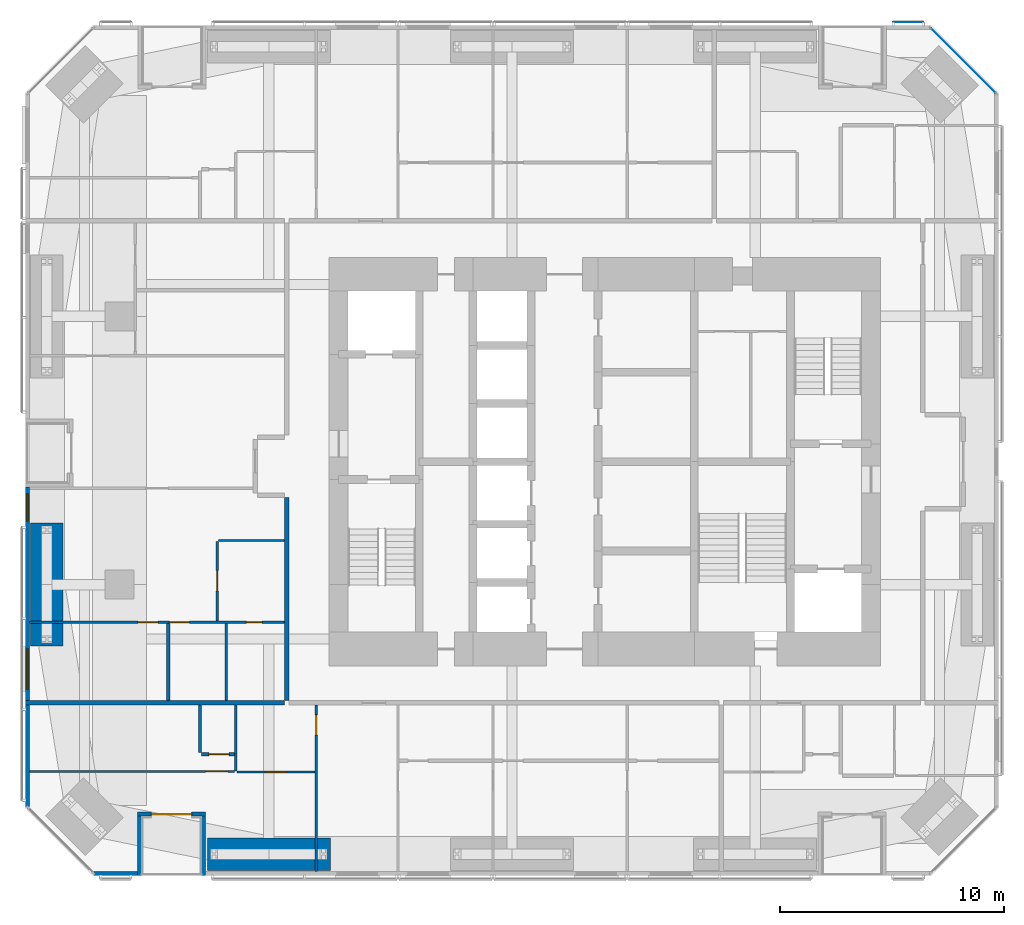
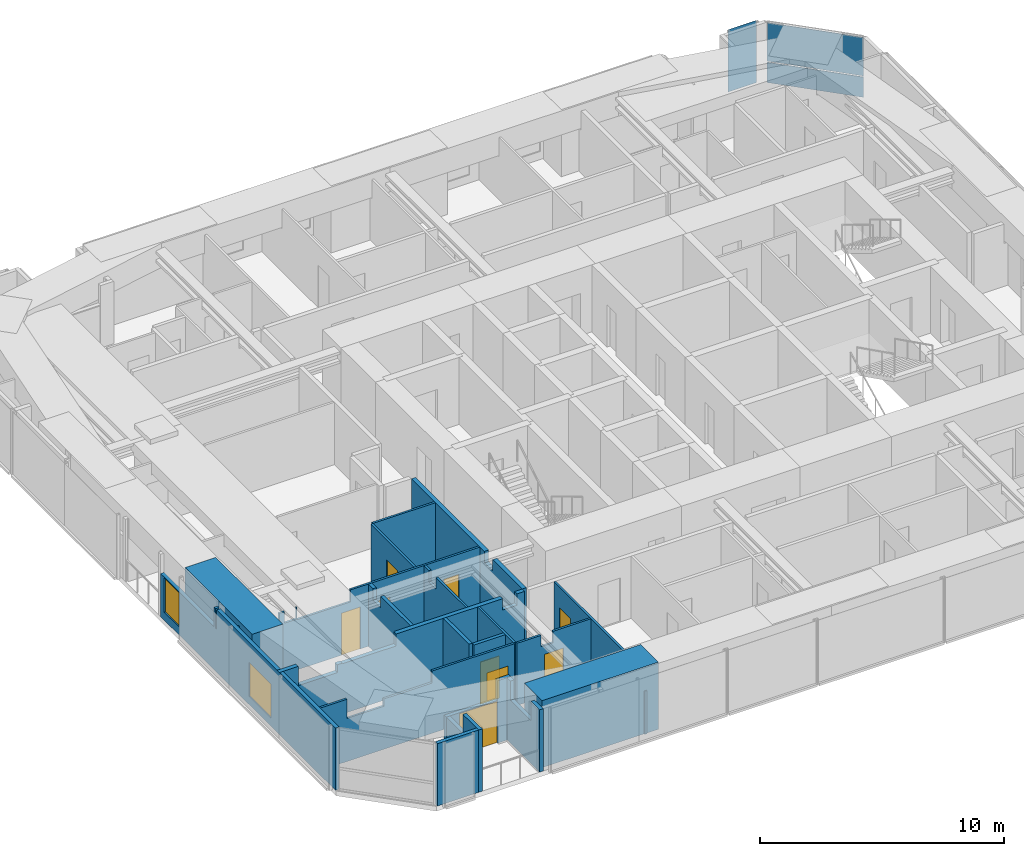
# One storey, part 16 of 23: 21 walls, 9 doors, 3 plates, 2 windows, 11 openings, 2 elements without a shape of their own.
"""IFC4 building model written with IfcOpenShell, lengths in metres."""

import ifcopenshell
import ifcopenshell.guid

model = None  # the IFC model being written
_history = None  # IfcOwnerHistory: only IFC2X3 demands one
_inside = {}  # id of a spatial element -> (the spatial element, [elements in it])
_under = {}  # id of a project, library or spatial element -> (it, [spatial elements below it])
_declared = {}  # id of a project -> (the project, [libraries it declares])
_typed = {}  # id of a type object -> (the type object, [elements of that type])
_made_of = {}  # id of a material, layer set ... -> (it, [elements and type objects made of it])


def new_model(schema):
    """Start an empty IFC model of exactly this schema.

    Asked for "IFC4X3", IfcOpenShell would pick the latest addendum, in which some entities
    have other attributes; the version numbers below select the first issue.
    IFC2X3 requires an IfcOwnerHistory on every rooted entity: one is made here for all.
    """
    global model, _history
    if schema == "IFC4X3":
        model = ifcopenshell.file(schema_version=(4, 3, 0, 0))
    else:
        model = ifcopenshell.file(schema=schema)
    _inside.clear()
    _under.clear()
    _declared.clear()
    _typed.clear()
    _made_of.clear()
    _history = None
    if model.schema == "IFC2X3":
        org = make("IfcOrganization", Name="unknown")
        user = make(
            "IfcPersonAndOrganization",
            ThePerson=make("IfcPerson", FamilyName="unknown"),
            TheOrganization=org,
        )
        app = make(
            "IfcApplication",
            ApplicationDeveloper=org,
            Version="unknown",
            ApplicationFullName="unknown",
            ApplicationIdentifier="unknown",
        )
        _history = make(
            "IfcOwnerHistory",
            OwningUser=user,
            OwningApplication=app,
            ChangeAction="ADDED",
            CreationDate=0,
        )
    return model


def make(cls, **values):
    """One entity of the class cls with the attributes given. An attribute that is None is left unset."""
    return model.create_entity(
        cls, **{name: value for name, value in values.items() if value is not None}
    )


def rooted(cls, **values):
    """An entity with a GlobalId (a new one), such as an element, a storey or a relation."""
    return make(cls, GlobalId=ifcopenshell.guid.new(), OwnerHistory=_history, **values)


def si_unit(unit_type, name, prefix=None):
    """IfcSIUnit, for example si_unit("LENGTHUNIT", "METRE", prefix="MILLI")."""
    return make("IfcSIUnit", UnitType=unit_type, Prefix=prefix, Name=name)


def assignment(units):
    """IfcUnitAssignment: the units of a project."""
    return None if units is None else make("IfcUnitAssignment", Units=units)


def point(xyz):
    """IfcCartesianPoint."""
    return None if xyz is None else make("IfcCartesianPoint", Coordinates=xyz)


def direction(xyz):
    """IfcDirection."""
    return None if xyz is None else make("IfcDirection", DirectionRatios=xyz)


def frame(location, z_axis=None, x_axis=None):
    """IfcAxis2Placement3D, a coordinate frame: its origin and axes. An axis left out is left unset."""
    return make(
        "IfcAxis2Placement3D",
        Location=point(location),
        Axis=direction(z_axis),
        RefDirection=direction(x_axis),
    )


def frame_2d(location, x_axis=None):
    """IfcAxis2Placement2D, a coordinate frame in the plane: its origin and x axis."""
    return make(
        "IfcAxis2Placement2D", Location=point(location), RefDirection=direction(x_axis)
    )


def origin():
    """The frame at (0, 0, 0) with its axes left unset."""
    return frame((0.0, 0.0, 0.0))


def origin_2d():
    """The frame at (0, 0) in the plane with its x axis left unset."""
    return frame_2d((0.0, 0.0))


def place(relative_to, where):
    """IfcLocalPlacement: puts the frame where relative to a parent placement (None: the world)."""
    return make(
        "IfcLocalPlacement", PlacementRelTo=relative_to, RelativePlacement=where
    )


def context(
    kind, dimensions, precision=None, world=None, true_north=None, identifier=None
):
    """IfcGeometricRepresentationContext, for example the 3D "Model" context."""
    return make(
        "IfcGeometricRepresentationContext",
        ContextIdentifier=identifier,
        ContextType=kind,
        CoordinateSpaceDimension=dimensions,
        Precision=precision,
        WorldCoordinateSystem=world,
        TrueNorth=true_north,
    )


def subcontext(parent, identifier, kind, view, scale=None):
    """IfcGeometricRepresentationSubContext, for example "Body" below "Model"."""
    return make(
        "IfcGeometricRepresentationSubContext",
        ContextIdentifier=identifier,
        ContextType=kind,
        ParentContext=parent,
        TargetScale=scale,
        TargetView=view,
    )


def project(units=None, contexts=None):
    """IfcProject with its units and contexts."""
    return rooted(
        "IfcProject",
        Name="project",
        RepresentationContexts=contexts,
        UnitsInContext=assignment(units),
    )


def spatial(cls, under=None, at=None, **own):
    """A site, building, storey or space (cls), placed at a placement, below another one or the project."""
    s = rooted(cls, ObjectPlacement=at, **own)
    if under is not None:
        _under.setdefault(under.id(), (under, []))[1].append(s)
    return s


def polyline(points):
    """IfcPolyline through the points."""
    return make("IfcPolyline", Points=[point(p) for p in points])


def profile(cls, at=None, kind="AREA", **sizes):
    """A parametric profile (cls). Its sizes go by their IFC names, for example OverallWidth=200.0."""
    return make(cls, ProfileType=kind, Position=at, **sizes)


def rectangle(**sizes):
    """IfcRectangleProfileDef."""
    return profile("IfcRectangleProfileDef", **sizes)


def outline(outer, holes=None, kind="AREA"):
    """IfcArbitraryClosedProfileDef: a profile drawn as a closed curve; with holes, ...WithVoids."""
    if holes is None:
        return make("IfcArbitraryClosedProfileDef", ProfileType=kind, OuterCurve=outer)
    return make(
        "IfcArbitraryProfileDefWithVoids",
        ProfileType=kind,
        OuterCurve=outer,
        InnerCurves=holes,
    )


def extrude(swept, where, along, depth):
    """IfcExtrudedAreaSolid: the profile swept, set in the frame where, extruded along a direction by depth."""
    return make(
        "IfcExtrudedAreaSolid",
        SweptArea=swept,
        Position=where,
        ExtrudedDirection=direction(along),
        Depth=depth,
    )


def shape(context_of_items, identifier, shape_type, items):
    """IfcShapeRepresentation: the items that make up one representation, for example the "Body"."""
    return make(
        "IfcShapeRepresentation",
        ContextOfItems=context_of_items,
        RepresentationIdentifier=identifier,
        RepresentationType=shape_type,
        Items=items,
    )


def material(Name=None, Category=None):
    """IfcMaterial."""
    return make("IfcMaterial", Name=Name, Category=Category)


def layer(
    of_material, thickness, ventilated=None, Name=None, Category=None, Priority=None
):
    """IfcMaterialLayer: one layer of a wall or slab, of a material (None: an air gap)."""
    return make(
        "IfcMaterialLayer",
        Material=of_material,
        LayerThickness=thickness,
        IsVentilated=ventilated,
        Name=Name,
        Category=Category,
        Priority=Priority,
    )


def layer_set(layers, Name=None):
    """IfcMaterialLayerSet."""
    return make("IfcMaterialLayerSet", MaterialLayers=layers, LayerSetName=Name)


def constituent(of_material, Name=None, Category=None, fraction=None):
    """IfcMaterialConstituent: one of the materials an element consists of."""
    return make(
        "IfcMaterialConstituent",
        Name=Name,
        Material=of_material,
        Fraction=fraction,
        Category=Category,
    )


def constituent_set(constituents=None, Name=None):
    """IfcMaterialConstituentSet."""
    return make(
        "IfcMaterialConstituentSet", Name=Name, MaterialConstituents=constituents
    )


def made_of(thing, what):
    """Note that an element or type object is made of a material, layer set ...; save() writes the relation."""
    if what is not None:
        _made_of.setdefault(what.id(), (what, []))[1].append(thing)
    return thing


def type_object(cls, material=None, **own):
    """A type object (cls), such as IfcWallType, which elements share."""
    return made_of(rooted(cls, **own), material)


def element(
    cls,
    number,
    at=None,
    inside=None,
    cuts=None,
    type_object=None,
    material=None,
    context=None,
    identifier="Body",
    shape_type=None,
    held_by="IfcProductDefinitionShape",
    body=None,
    shapes=None,
    **own,
):
    """One element of the class cls, such as IfcWall. Its Tag is "e" and its number.

    at: its placement. inside: the storey or other place that contains it. cuts: it is an
    opening in that element (IfcRelVoidsElement). A single representation is given by context,
    identifier, shape_type and body (its items); several are given by shapes. held_by: the class
    of the entity that holds the representations. save() writes the other relations.
    """
    e = rooted(cls, Tag="e%d" % number, ObjectPlacement=at, **own)
    if body is not None:
        shapes = [shape(context, identifier, shape_type, body)]
    if shapes is not None:
        e.Representation = make(held_by, Representations=shapes)
    if inside is not None:
        _inside.setdefault(inside.id(), (inside, []))[1].append(e)
    if cuts is not None:
        rooted(
            "IfcRelVoidsElement", RelatingBuildingElement=cuts, RelatedOpeningElement=e
        )
    if type_object is not None:
        _typed.setdefault(type_object.id(), (type_object, []))[1].append(e)
    return made_of(e, material)


def fill(opening, filler):
    """IfcRelFillsElement: the door or window that sits in an opening."""
    return rooted(
        "IfcRelFillsElement",
        RelatingOpeningElement=opening,
        RelatedBuildingElement=filler,
    )


def aggregate(whole, parts):
    """IfcRelAggregates: a whole, such as a stair, and the parts it consists of."""
    return rooted("IfcRelAggregates", RelatingObject=whole, RelatedObjects=parts)


def save(model, path):
    """Write the relations noted so far, then the file.

    IfcRelAggregates (storeys below a building ...), IfcRelContainedInSpatialStructure (elements
    in a storey), IfcRelDefinesByType, IfcRelAssociatesMaterial and IfcRelDeclares: one each for
    every whole, place, type object, material and project.
    """
    for whole, parts in _under.values():
        aggregate(whole, parts)
    for where, things in _inside.values():
        rooted(
            "IfcRelContainedInSpatialStructure",
            RelatedElements=things,
            RelatingStructure=where,
        )
    for kind, things in _typed.values():
        rooted("IfcRelDefinesByType", RelatedObjects=things, RelatingType=kind)
    for what, things in _made_of.values():
        rooted("IfcRelAssociatesMaterial", RelatedObjects=things, RelatingMaterial=what)
    for by, libraries in _declared.values():
        rooted("IfcRelDeclares", RelatingContext=by, RelatedDefinitions=libraries)
    model.write(path)


model = new_model("IFC4")

# Units and contexts
model_context = context("Model", 3, precision=1e-05, world=origin(), true_north=direction((0.0, 1.0)))
body_context = subcontext(model_context, "Body", "Model", "MODEL_VIEW")
ifc_project = project(units=[si_unit("LENGTHUNIT", "METRE"), si_unit("AREAUNIT", "SQUARE_METRE"), si_unit("VOLUMEUNIT", "CUBIC_METRE"), si_unit("PLANEANGLEUNIT", "RADIAN"), si_unit("MASSUNIT", "GRAM", prefix="KILO")], contexts=[model_context])

# Site, building, storey
site_placement = place(None, origin())
site = spatial("IfcSite", under=ifc_project, at=site_placement, CompositionType="ELEMENT")
building_placement = place(site_placement, origin())
building = spatial("IfcBuilding", under=site, at=building_placement, Name="Jalousie Tower", CompositionType="ELEMENT")
storey_placement = place(building_placement, frame((0.0, 0.0, 118.25)))
storey = spatial("IfcBuildingStorey", under=building, at=storey_placement, Name="L32", CompositionType="ELEMENT", Elevation=118.25)

# Curtain wall, plates
ifc_material_1 = material(Name="Aluminium curtain wall", Category="aluminium")
curtain_wall_type_1 = type_object("IfcCurtainWallType", Name="CORNER WINDOW WALL", PredefinedType="USERDEFINED", material=ifc_material_1)
curtain_wall_1_placement = place(storey_placement, origin())
curtain_wall_1 = element("IfcCurtainWall", 1, at=curtain_wall_1_placement, inside=storey, type_object=curtain_wall_type_1, Name="Corner Window Wall L32 4", ObjectType="CORNER WINDOW WALL", PredefinedType="USERDEFINED")
ifc_material_2 = material(Name="Laminated impact-rated spandrel glass", Category="glass")
ifc_layer_1 = layer(ifc_material_2, 0.028076171875)
ifc_layer_set_1 = layer_set([ifc_layer_1], Name="Laminated impact-rated spandrel glass")
plate_type_1 = type_object("IfcPlateType", Name="CORNER WINDOW WALL PANEL", PredefinedType="CURTAIN_PANEL", material=ifc_layer_set_1)
plate_1_placement = place(storey_placement, frame((47.9306640625, 36.4306640625, 0.06005859375), z_axis=(0.0, 0.0, 1.0), x_axis=(-0.707106781187, 0.707106781187, 0.0)))
plate_1 = element("IfcPlate", 2, at=plate_1_placement, type_object=plate_type_1, Name="CW-C panel 1.1", PredefinedType="CURTAIN_PANEL", context=body_context, shape_type="SweptSolid", body=[
    extrude(rectangle(XDim=4.071533203125, YDim=0.028076171875, at=origin_2d()), origin(), (0.0, 0.0, 1.0), 1.010009765625),
])
plate_2_placement = place(storey_placement, frame((47.9306640625, 36.4306640625, 1.130126953125), z_axis=(0.0, 0.0, 1.0), x_axis=(-0.707106781187, 0.707106781187, 0.0)))
plate_2 = element("IfcPlate", 3, at=plate_2_placement, type_object=plate_type_1, Name="CW-C panel 1.2", PredefinedType="CURTAIN_PANEL", context=body_context, shape_type="SweptSolid", body=[
    extrude(rectangle(XDim=4.071533203125, YDim=0.028076171875, at=origin_2d()), origin(), (0.0, 0.0, 1.0), 1.919921875),
])
aggregate(curtain_wall_1, [plate_1, plate_2])

# Curtain wall, plate
ifc_material_3 = material(Name="Perforated aluminium sheet", Category="aluminium")
curtain_wall_type_2 = type_object("IfcCurtainWallType", Name="SOLAR SCREEN SS-1", PredefinedType="USERDEFINED", material=ifc_material_3)
curtain_wall_2_placement = place(storey_placement, origin())
curtain_wall_2 = element("IfcCurtainWall", 4, at=curtain_wall_2_placement, inside=storey, type_object=curtain_wall_type_2, Name="Solar screen L32", ObjectType="SOLAR SCREEN SS-1", PredefinedType="USERDEFINED")
ifc_material_4 = material(Name="Perforated aluminium sheet", Category="aluminium")
ifc_layer_2 = layer(ifc_material_4, 0.006103515625)
ifc_layer_set_2 = layer_set([ifc_layer_2], Name="Perforated aluminium sheet")
plate_type_2 = type_object("IfcPlateType", Name="SOLAR SCREEN SS-1 PANEL", PredefinedType="CURTAIN_PANEL", material=ifc_layer_set_2)
plate_3_placement = place(storey_placement, frame((45.4736328125, 38.150390625, 0.0), z_axis=(0.0, 0.0, 1.0), x_axis=(-1.0, 0.0, 0.0)))
plate_3 = element("IfcPlate", 5, at=plate_3_placement, type_object=plate_type_2, Name="SS1 perforated panel 1", PredefinedType="CURTAIN_PANEL", context=body_context, shape_type="SweptSolid", body=[
    extrude(rectangle(XDim=1.35009765625, YDim=0.006103515625, at=origin_2d()), origin(), (0.0, 0.0, 1.0), 3.110107421875),
])
aggregate(curtain_wall_2, [plate_3])

# Wall, opening, door
ifc_material_5 = material(Name="Concrete block ASTM C90", Category="concrete")
ifc_constituent_1 = constituent(ifc_material_5, Name="Body")
ifc_material_6 = material(Name="Render")
ifc_constituent_2 = constituent(ifc_material_6, Name="Finish")
ifc_constituent_set_1 = constituent_set(constituents=[ifc_constituent_1, ifc_constituent_2])
wall_type_1 = type_object("IfcWallType", Name="BATHROOM WALL 150", PredefinedType="PLUMBINGWALL", material=ifc_constituent_set_1)
wall_1_placement = place(storey_placement, frame((13.875, 5.425048828125, 0.0), z_axis=(0.0, 0.0, 1.0), x_axis=(1.0, 0.0, 0.0)))
wall_1 = element("IfcWall", 6, at=wall_1_placement, inside=storey, type_object=wall_type_1, Name="Bathroom Wall 150 L32", PredefinedType="PLUMBINGWALL", context=body_context, shape_type="SweptSolid", body=[
    extrude(rectangle(XDim=1.47509765625, YDim=0.14990234375, at=frame_2d((0.737548828125, 0.0))), origin(), (0.0, 0.0, 1.0), 3.110107421875),
])
opening_1_placement = place(wall_1_placement, frame((0.324951171875, 0.0, 0.0)))
opening_1 = element("IfcOpeningElement", 7, at=opening_1_placement, cuts=wall_1, Name="Opening D7", PredefinedType="OPENING", context=body_context, shape_type="SweptSolid", body=[
    extrude(rectangle(XDim=0.89990234375, YDim=2.10009765625, at=frame_2d((0.449951171875, 1.050048828125))), frame((0.0, 0.0849609375, 0.0), z_axis=(0.0, -1.0, 0.0), x_axis=(1.0, 0.0, 0.0)), (0.0, 0.0, 1.0), 0.169921875),
])
ifc_material_7 = material(Name="Timber door", Category="wood")
door_type_1 = type_object("IfcDoorType", Name="INTERNAL DOOR 900", OperationType="SINGLE_SWING_LEFT", PredefinedType="DOOR", material=ifc_material_7)
door_1_placement = place(opening_1_placement, origin())
door_1 = element("IfcDoor", 8, at=door_1_placement, inside=storey, type_object=door_type_1, Name="Apartment 3201 guest WC door", OperationType="SINGLE_SWING_RIGHT", OverallHeight=2.10009765625, OverallWidth=0.89990234375, PredefinedType="DOOR", context=body_context, shape_type="SweptSolid", body=[
    extrude(rectangle(XDim=0.89990234375, YDim=2.10009765625, at=frame_2d((0.449951171875, 1.050048828125))), frame((0.0, 0.02490234375, 0.0), z_axis=(0.0, -1.0, 0.0), x_axis=(1.0, 0.0, 0.0)), (0.0, 0.0, 1.0), 0.050048828125),
])
fill(opening_1, door_1)

# Walls
wall_2_placement = place(storey_placement, frame((13.800048828125, 5.5, 0.0), z_axis=(0.0, 0.0, 1.0), x_axis=(0.0, 1.0, 0.0)))
element("IfcWall", 9, at=wall_2_placement, inside=storey, type_object=wall_type_1, Name="Bathroom Wall 150 L32", PredefinedType="PLUMBINGWALL", context=body_context, shape_type="SweptSolid", body=[
    extrude(rectangle(XDim=2.125, YDim=0.14990234375, at=frame_2d((1.0625, 0.0))), origin(), (0.0, 0.0, 1.0), 3.110107421875),
])
wall_3_placement = place(storey_placement, frame((12.375, 7.824951171875, 0.0), z_axis=(0.0, 0.0, 1.0), x_axis=(0.0, 1.0, 0.0)))
element("IfcWall", 10, at=wall_3_placement, inside=storey, type_object=wall_type_1, Name="Bathroom Wall 150 L32", PredefinedType="PLUMBINGWALL", context=body_context, shape_type="SweptSolid", body=[
    extrude(outline(polyline([(0.0, 0.0), (3.449951171875, 0.0), (3.449951171875, 3.110107421875), (3.0625, 3.110107421875), (3.0625, 2.541015625), (2.4375, 2.541015625), (2.4375, 3.110107421875), (0.0, 3.110107421875), (0.0, 0.0)])), frame((0.0, 0.074951171875, 0.0), z_axis=(0.0, -1.0, 0.0), x_axis=(1.0, 0.0, 0.0)), (0.0, 0.0, 1.0), 0.14990234375),
])
ifc_material_8 = material(Name="Concrete block ASTM C90", Category="concrete")
ifc_constituent_3 = constituent(ifc_material_8, Name="Body")
ifc_material_9 = material(Name="Render")
ifc_constituent_4 = constituent(ifc_material_9, Name="Finish")
ifc_constituent_set_2 = constituent_set(constituents=[ifc_constituent_3, ifc_constituent_4])
wall_type_2 = type_object("IfcWallType", Name="CORRIDOR WALL 200", PredefinedType="PARTITIONING", material=ifc_constituent_set_2)
wall_4_placement = place(storey_placement, frame((17.675048828125, 7.824951171875, 0.0), z_axis=(0.0, 0.0, 1.0), x_axis=(0.0, 1.0, 0.0)))
element("IfcWall", 11, at=wall_4_placement, inside=storey, type_object=wall_type_2, Name="Corridor Wall 200 L32", PredefinedType="PARTITIONING", context=body_context, shape_type="SweptSolid", body=[
    extrude(outline(polyline([(0.0, 0.0), (9.074951171875, 0.0), (9.074951171875, 3.110107421875), (3.08740234375, 3.110107421875), (3.08740234375, 2.541015625), (2.41259765625, 2.541015625), (2.41259765625, 3.110107421875), (0.0, 3.110107421875), (0.0, 0.0)])), frame((0.0, 0.10009765625, 0.0), z_axis=(0.0, -1.0, 0.0), x_axis=(1.0, 0.0, 0.0)), (0.0, 0.0, 1.0), 0.199951171875),
])
ifc_material_10 = material(Name="Concrete f'c 40 MPa", Category="concrete")
ifc_constituent_5 = constituent(ifc_material_10, Name="Body")
ifc_material_11 = material(Name="Render, pastel sea green")
ifc_constituent_6 = constituent(ifc_material_11, Name="Finish")
ifc_constituent_set_3 = constituent_set(constituents=[ifc_constituent_5, ifc_constituent_6])
wall_type_3 = type_object("IfcWallType", Name="EXTERNAL WALL 175 SEA GREEN RENDER", PredefinedType="SOLIDWALL", material=ifc_constituent_set_3)
wall_5_placement = place(storey_placement, frame((9.05126953125, 0.08740234375, 0.0), z_axis=(0.0, 0.0, 1.0), x_axis=(1.0, 0.0, 0.0)))
element("IfcWall", 12, at=wall_5_placement, inside=storey, type_object=wall_type_3, Name="External Wall 175 Sea Green Render L32", PredefinedType="SOLIDWALL", context=body_context, shape_type="SweptSolid", body=[
    extrude(rectangle(XDim=1.949951171875, YDim=0.175048828125, at=frame_2d((0.97509765625, 0.0))), origin(), (0.0, 0.0, 1.0), 3.110107421875),
])

# Wall, opening, door
wall_6_placement = place(storey_placement, frame((11.001220703125, 2.737548828125, 0.0), z_axis=(0.0, 0.0, 1.0), x_axis=(1.0, 0.0, 0.0)))
wall_6 = element("IfcWall", 13, at=wall_6_placement, inside=storey, type_object=wall_type_3, Name="External Wall 175 Sea Green Render L32-A", PredefinedType="SOLIDWALL", context=body_context, shape_type="SweptSolid", body=[
    extrude(rectangle(XDim=2.425048828125, YDim=0.175048828125, at=frame_2d((1.21240234375, 0.0))), origin(), (0.0, 0.0, 1.0), 2.14990234375),
])
opening_2_placement = place(wall_6_placement, frame((0.625, 0.0, 0.0)))
opening_2 = element("IfcOpeningElement", 14, at=opening_2_placement, cuts=wall_6, Name="Opening D-BAL21", PredefinedType="OPENING", context=body_context, shape_type="SweptSolid", body=[
    extrude(rectangle(XDim=1.800048828125, YDim=2.10009765625, at=frame_2d((0.89990234375, 1.050048828125))), frame((0.0, 0.097412109375, 0.0), z_axis=(0.0, -1.0, 0.0), x_axis=(1.0, 0.0, 0.0)), (0.0, 0.0, 1.0), 0.195068359375),
])
ifc_material_12 = material(Name="Aluminium frame, impact-rated glazing", Category="aluminium")
door_type_2 = type_object("IfcDoorType", Name="BALCONY DOOR 1800x2100", OperationType="SLIDING_TO_LEFT", PredefinedType="DOOR", material=ifc_material_12)
door_2_placement = place(opening_2_placement, origin())
door_2 = element("IfcDoor", 15, at=door_2_placement, inside=storey, type_object=door_type_2, Name="Apartment 3201 living and dining room loggia door", OperationType="SLIDING_TO_LEFT", OverallHeight=2.10009765625, OverallWidth=1.800048828125, PredefinedType="DOOR", context=body_context, shape_type="SweptSolid", body=[
    extrude(rectangle(XDim=1.800048828125, YDim=2.10009765625, at=frame_2d((0.89990234375, 1.050048828125))), frame((0.0, 0.02490234375, 0.0), z_axis=(0.0, -1.0, 0.0), x_axis=(1.0, 0.0, 0.0)), (0.0, 0.0, 1.0), 0.050048828125),
])
fill(opening_2, door_2)

# Walls
wall_7_placement = place(storey_placement, frame((13.42626953125, 2.737548828125, 0.0), z_axis=(0.0, 0.0, 1.0), x_axis=(1.0, 0.0, 0.0)))
element("IfcWall", 16, at=wall_7_placement, inside=storey, type_object=wall_type_3, Name="External Wall 175 Sea Green Render L32-B", PredefinedType="SOLIDWALL", context=body_context, shape_type="SweptSolid", body=[
    extrude(rectangle(XDim=0.625, YDim=0.175048828125, at=frame_2d((0.3125, 0.0))), origin(), (0.0, 0.0, 1.0), 3.110107421875),
])
wall_8_placement = place(storey_placement, frame((11.0888671875, 0.0, 0.0), z_axis=(0.0, 0.0, 1.0), x_axis=(0.0, 1.0, 0.0)))
element("IfcWall", 17, at=wall_8_placement, inside=storey, type_object=wall_type_3, Name="External Wall 175 Sea Green Render L32", PredefinedType="SOLIDWALL", context=body_context, shape_type="SweptSolid", body=[
    extrude(outline(polyline([(0.0, 0.0), (2.64990234375, 0.0), (2.64990234375, 2.14990234375), (1.2958984375, 2.14990234375), (1.2958984375, 3.110107421875), (0.0, 3.110107421875), (0.0, 0.0)])), frame((0.0, 0.08740234375, 0.0), z_axis=(0.0, -1.0, 0.0), x_axis=(1.0, 0.0, 0.0)), (0.0, 0.0, 1.0), 0.175048828125),
])
wall_9_placement = place(storey_placement, frame((13.9638671875, 0.0, 0.0), z_axis=(0.0, 0.0, 1.0), x_axis=(0.0, 1.0, 0.0)))
element("IfcWall", 18, at=wall_9_placement, inside=storey, type_object=wall_type_3, Name="External Wall 175 Sea Green Render L32", PredefinedType="SOLIDWALL", context=body_context, shape_type="SweptSolid", body=[
    extrude(outline(polyline([(0.0, 0.0), (2.64990234375, 0.0), (2.64990234375, 3.110107421875), (2.378173828125, 3.110107421875), (2.378173828125, 2.14990234375), (0.70947265625, 2.14990234375), (0.70947265625, 3.110107421875), (0.0, 3.110107421875), (0.0, 0.0)])), frame((0.0, 0.08740234375, 0.0), z_axis=(0.0, -1.0, 0.0), x_axis=(1.0, 0.0, 0.0)), (0.0, 0.0, 1.0), 0.175048828125),
])

# Wall, openings, windows
wall_10_placement = place(storey_placement, frame((6.08740234375, 17.3583984375, 0.0), z_axis=(0.0, 0.0, 1.0), x_axis=(0.0, -1.0, 0.0)))
wall_10 = element("IfcWall", 19, at=wall_10_placement, inside=storey, type_object=wall_type_3, Name="External Wall 175 Sea Green Render L32", PredefinedType="SOLIDWALL", context=body_context, shape_type="SweptSolid", body=[
    extrude(outline(polyline([(0.0, 0.0), (14.30712890625, 0.0), (14.306884765625, 3.110107421875), (4.576904296875, 3.110107421875), (4.576904296875, 2.14990234375), (4.48388671875, 2.14990234375), (4.48388671875, 3.110107421875), (4.3583984375, 3.110107421875), (4.3583984375, 2.14990234375), (0.0, 2.14990234375), (0.0, 0.0)])), frame((0.0, 0.08740234375, 0.0), z_axis=(0.0, -1.0, 0.0), x_axis=(1.0, 0.0, 0.0)), (0.0, 0.0, 1.0), 0.175048828125),
])
opening_3_placement = place(wall_10_placement, frame((0.300048828125, 0.0, 0.39990234375)))
opening_3 = element("IfcOpeningElement", 20, at=opening_3_placement, cuts=wall_10, Name="Opening W-COR170", PredefinedType="OPENING", context=body_context, shape_type="SweptSolid", body=[
    extrude(rectangle(XDim=1.199951171875, YDim=1.699951171875, at=frame_2d((0.60009765625, 0.85009765625))), frame((0.0, 0.097412109375, 0.0), z_axis=(0.0, -1.0, 0.0), x_axis=(1.0, 0.0, 0.0)), (0.0, 0.0, 1.0), 0.195068359375),
])
opening_4_placement = place(wall_10_placement, frame((7.2333984375, 0.0, 0.39990234375)))
opening_4 = element("IfcOpeningElement", 21, at=opening_4_placement, cuts=wall_10, Name="Opening W-BED170", PredefinedType="OPENING", context=body_context, shape_type="SweptSolid", body=[
    extrude(rectangle(XDim=1.800048828125, YDim=1.699951171875, at=frame_2d((0.89990234375, 0.85009765625))), frame((0.0, 0.097412109375, 0.0), z_axis=(0.0, -1.0, 0.0), x_axis=(1.0, 0.0, 0.0)), (0.0, 0.0, 1.0), 0.195068359375),
])
ifc_material_13 = material(Name="Aluminium frame, impact-rated glazing", Category="aluminium")
window_type_1 = type_object("IfcWindowType", Name="WINDOW BED 1800x1700", PartitioningType="SINGLE_PANEL", PredefinedType="WINDOW", material=ifc_material_13)
window_1_placement = place(opening_4_placement, origin())
window_1 = element("IfcWindow", 22, at=window_1_placement, inside=storey, type_object=window_type_1, Name="Apartment 3205 bedroom 1 window", OverallHeight=1.699951171875, OverallWidth=1.800048828125, PartitioningType="SINGLE_PANEL", PredefinedType="WINDOW", context=body_context, shape_type="SweptSolid", body=[
    extrude(rectangle(XDim=1.800048828125, YDim=1.699951171875, at=frame_2d((0.89990234375, 0.85009765625))), frame((0.0, 0.030029296875, 0.0), z_axis=(0.0, -1.0, 0.0), x_axis=(1.0, 0.0, 0.0)), (0.0, 0.0, 1.0), 0.06005859375),
])
fill(opening_4, window_1)
ifc_material_14 = material(Name="Aluminium frame, impact-rated glazing", Category="aluminium")
window_type_2 = type_object("IfcWindowType", Name="WINDOW COR 1200x1700", PartitioningType="SINGLE_PANEL", PredefinedType="WINDOW", material=ifc_material_14)
window_2_placement = place(opening_3_placement, origin())
window_2 = element("IfcWindow", 23, at=window_2_placement, inside=storey, type_object=window_type_2, Name="Apartment 3205 dining room window", OverallHeight=1.699951171875, OverallWidth=1.199951171875, PartitioningType="SINGLE_PANEL", PredefinedType="WINDOW", context=body_context, shape_type="SweptSolid", body=[
    extrude(rectangle(XDim=1.199951171875, YDim=1.699951171875, at=frame_2d((0.60009765625, 0.85009765625))), frame((0.0, 0.030029296875, 0.0), z_axis=(0.0, -1.0, 0.0), x_axis=(1.0, 0.0, 0.0)), (0.0, 0.0, 1.0), 0.06005859375),
])
fill(opening_3, window_2)

# Wall, opening, door
ifc_material_15 = material(Name="Gypsum board", Category="gypsum")
ifc_constituent_7 = constituent(ifc_material_15, Name="Body")
ifc_material_16 = material(Name="Light-gauge steel studs ASTM A653 SS Grade 33", Category="steel")
ifc_constituent_8 = constituent(ifc_material_16, Name="Framing")
ifc_constituent_set_4 = constituent_set(constituents=[ifc_constituent_7, ifc_constituent_8])
wall_type_4 = type_object("IfcWallType", Name="PARTITION 100", PredefinedType="PARTITIONING", material=ifc_constituent_set_4)
wall_11_placement = place(storey_placement, frame((19.0, 0.175048828125, 0.0), z_axis=(0.0, 0.0, 1.0), x_axis=(0.0, 1.0, 0.0)))
wall_11 = element("IfcWall", 24, at=wall_11_placement, inside=storey, type_object=wall_type_4, Name="Partition 100 L32", PredefinedType="PARTITIONING", context=body_context, shape_type="SweptSolid", body=[
    extrude(outline(polyline([(0.52880859375, 2.14990234375), (0.0, 2.14990234375), (0.0, 0.0), (0.52880859375, 0.0), (0.52880859375, 0.01708984375), (1.021240234375, 0.01708984375), (1.021240234375, 0.0), (7.449951171875, 0.0), (7.449951171875, 3.110107421875), (1.635009765625, 3.110107421875), (1.635009765625, 2.14990234375), (1.021240234375, 2.14990234375), (1.021240234375, 2.1328125), (0.52880859375, 2.1328125), (0.52880859375, 2.14990234375)])), frame((0.0, 0.050048828125, 0.0), z_axis=(0.0, -1.0, 0.0), x_axis=(1.0, 0.0, 0.0)), (0.0, 0.0, 1.0), 0.10009765625),
])
opening_5_placement = place(wall_11_placement, frame((6.10009765625, 0.0, 0.0)))
opening_5 = element("IfcOpeningElement", 25, at=opening_5_placement, cuts=wall_11, Name="Opening D2", PredefinedType="OPENING", context=body_context, shape_type="SweptSolid", body=[
    extrude(rectangle(XDim=0.89990234375, YDim=2.10009765625, at=frame_2d((0.449951171875, 1.050048828125))), frame((0.0, 0.06005859375, 0.0), z_axis=(0.0, -1.0, 0.0), x_axis=(1.0, 0.0, 0.0)), (0.0, 0.0, 1.0), 0.1201171875),
])
ifc_material_17 = material(Name="Timber door", Category="wood")
door_type_3 = type_object("IfcDoorType", Name="BEDROOM DOOR 900", OperationType="SINGLE_SWING_LEFT", PredefinedType="DOOR", material=ifc_material_17)
door_3_placement = place(opening_5_placement, frame((0.89990234375, 0.0, 0.0), z_axis=(0.0, 0.0, 1.0), x_axis=(-1.0, 0.0, 0.0)))
door_3 = element("IfcDoor", 26, at=door_3_placement, inside=storey, type_object=door_type_3, Name="Apartment 3201 study door", OperationType="SINGLE_SWING_LEFT", OverallHeight=2.10009765625, OverallWidth=0.89990234375, PredefinedType="DOOR", context=body_context, shape_type="SweptSolid", body=[
    extrude(rectangle(XDim=0.89990234375, YDim=2.10009765625, at=frame_2d((0.449951171875, 1.050048828125))), frame((0.0, 0.02490234375, 0.0), z_axis=(0.0, -1.0, 0.0), x_axis=(1.0, 0.0, 0.0)), (0.0, 0.0, 1.0), 0.050048828125),
])
fill(opening_5, door_3)

wall_12_placement = place(storey_placement, frame((15.449951171875, 4.625, 0.0), z_axis=(0.0, 0.0, 1.0), x_axis=(1.0, 0.0, 0.0)))
wall_12 = element("IfcWall", 27, at=wall_12_placement, inside=storey, type_object=wall_type_4, Name="Partition 100 L32", PredefinedType="PARTITIONING", context=body_context, shape_type="SweptSolid", body=[
    extrude(outline(polyline([(0.0, 0.0), (3.5, 0.0), (3.5, 3.110107421875), (1.71240234375, 3.110107421875), (1.71240234375, 2.541015625), (1.1376953125, 2.541015625), (1.1376953125, 3.110107421875), (0.0, 3.110107421875), (0.0, 0.0)])), frame((0.0, 0.050048828125, 0.0), z_axis=(0.0, -1.0, 0.0), x_axis=(1.0, 0.0, 0.0)), (0.0, 0.0, 1.0), 0.10009765625),
])
opening_6_placement = place(wall_12_placement, frame((1.300048828125, 0.0, 0.0)))
opening_6 = element("IfcOpeningElement", 28, at=opening_6_placement, cuts=wall_12, Name="Opening D7", PredefinedType="OPENING", context=body_context, shape_type="SweptSolid", body=[
    extrude(rectangle(XDim=0.89990234375, YDim=2.10009765625, at=frame_2d((0.449951171875, 1.050048828125))), frame((0.0, 0.06005859375, 0.0), z_axis=(0.0, -1.0, 0.0), x_axis=(1.0, 0.0, 0.0)), (0.0, 0.0, 1.0), 0.1201171875),
])
door_4_placement = place(opening_6_placement, frame((0.89990234375, 0.0, 0.0), z_axis=(0.0, 0.0, 1.0), x_axis=(-1.0, 0.0, 0.0)))
door_4 = element("IfcDoor", 29, at=door_4_placement, inside=storey, type_object=door_type_1, Name="Apartment 3201 kitchen door", OperationType="SINGLE_SWING_LEFT", OverallHeight=2.10009765625, OverallWidth=0.89990234375, PredefinedType="DOOR", context=body_context, shape_type="SweptSolid", body=[
    extrude(rectangle(XDim=0.89990234375, YDim=2.10009765625, at=frame_2d((0.449951171875, 1.050048828125))), frame((0.0, 0.02490234375, 0.0), z_axis=(0.0, -1.0, 0.0), x_axis=(1.0, 0.0, 0.0)), (0.0, 0.0, 1.0), 0.050048828125),
])
fill(opening_6, door_4)

# Wall
wall_13_placement = place(storey_placement, frame((15.39990234375, 4.675048828125, 0.0), z_axis=(0.0, 0.0, 1.0), x_axis=(0.0, 1.0, 0.0)))
element("IfcWall", 30, at=wall_13_placement, inside=storey, type_object=wall_type_4, Name="Partition 100 L32", PredefinedType="PARTITIONING", context=body_context, shape_type="SweptSolid", body=[
    extrude(rectangle(XDim=2.949951171875, YDim=0.10009765625, at=frame_2d((1.47509765625, 0.0))), origin(), (0.0, 0.0, 1.0), 3.110107421875),
])

# Wall, opening, door
wall_14_placement = place(storey_placement, frame((6.175048828125, 4.64990234375, 0.0), z_axis=(0.0, 0.0, 1.0), x_axis=(1.0, 0.0, 0.0)))
wall_14 = element("IfcWall", 31, at=wall_14_placement, inside=storey, type_object=wall_type_4, Name="Partition 100 L32", PredefinedType="PARTITIONING", context=body_context, shape_type="SweptSolid", body=[
    extrude(outline(polyline([(0.0, 0.0), (9.175048828125, 0.0), (9.175048828125, 3.110107421875), (5.284912109375, 3.110107421875), (5.284912109375, 2.510009765625), (3.000244140625, 2.510009765625), (3.000244140625, 2.14990234375), (1.2578125, 2.14990234375), (1.2578125, 3.110107421875), (0.0, 3.110107421875), (0.0, 0.0)])), frame((0.0, 0.050048828125, 0.0), z_axis=(0.0, -1.0, 0.0), x_axis=(1.0, 0.0, 0.0)), (0.0, 0.0, 1.0), 0.10009765625),
])
opening_7_placement = place(wall_14_placement, frame((7.875, 0.0, 0.0)))
opening_7 = element("IfcOpeningElement", 32, at=opening_7_placement, cuts=wall_14, Name="Opening D6", PredefinedType="OPENING", context=body_context, shape_type="SweptSolid", body=[
    extrude(rectangle(XDim=1.0, YDim=2.10009765625, at=frame_2d((0.5, 1.050048828125))), frame((0.0, 0.06005859375, 0.0), z_axis=(0.0, -1.0, 0.0), x_axis=(1.0, 0.0, 0.0)), (0.0, 0.0, 1.0), 0.1201171875),
])
ifc_material_18 = material(Name="Timber door", Category="wood")
door_type_4 = type_object("IfcDoorType", Name="INTERNAL DOOR 1000", OperationType="SINGLE_SWING_LEFT", PredefinedType="DOOR", material=ifc_material_18)
door_5_placement = place(opening_7_placement, frame((1.0, 0.0, 0.0), z_axis=(0.0, 0.0, 1.0), x_axis=(-1.0, 0.0, 0.0)))
door_5 = element("IfcDoor", 33, at=door_5_placement, inside=storey, type_object=door_type_4, Name="Apartment 3201 hall door", OperationType="SINGLE_SWING_LEFT", OverallHeight=2.10009765625, OverallWidth=1.0, PredefinedType="DOOR", context=body_context, shape_type="SweptSolid", body=[
    extrude(rectangle(XDim=1.0, YDim=2.10009765625, at=frame_2d((0.5, 1.050048828125))), frame((0.0, 0.02490234375, 0.0), z_axis=(0.0, -1.0, 0.0), x_axis=(1.0, 0.0, 0.0)), (0.0, 0.0, 1.0), 0.050048828125),
])
fill(opening_7, door_5)

# Wall, openings, doors
wall_15_placement = place(storey_placement, frame((6.175048828125, 11.324951171875, 0.0), z_axis=(0.0, 0.0, 1.0), x_axis=(1.0, 0.0, 0.0)))
wall_15 = element("IfcWall", 34, at=wall_15_placement, inside=storey, type_object=wall_type_4, Name="Partition 100 L32", PredefinedType="PARTITIONING", context=body_context, shape_type="SweptSolid", body=[
    extrude(outline(polyline([(0.17529296875, 3.110107421875), (0.0, 3.110107421875), (0.0, 0.0), (0.52880859375, 0.0), (0.52880859375, 0.32470703125), (1.021240234375, 0.32470703125), (1.021240234375, 0.0), (11.39990234375, 0.0), (11.39990234375, 3.110107421875), (5.284912109375, 3.110107421875), (5.284912109375, 2.510009765625), (2.764892578125, 2.510009765625), (2.764892578125, 3.110107421875), (2.74365234375, 3.110107421875), (2.74365234375, 2.541015625), (2.1689453125, 2.541015625), (2.1689453125, 3.110107421875), (1.91796875, 3.110107421875), (1.91796875, 2.14990234375), (1.021240234375, 2.14990234375), (1.021240234375, 1.8251953125), (0.52880859375, 1.8251953125), (0.52880859375, 2.14990234375), (0.17529296875, 2.14990234375), (0.17529296875, 3.110107421875)])), frame((0.0, 0.050048828125, 0.0), z_axis=(0.0, -1.0, 0.0), x_axis=(1.0, 0.0, 0.0)), (0.0, 0.0, 1.0), 0.10009765625),
])
opening_8_placement = place(wall_15_placement, frame((4.85009765625, 0.0, 0.0)))
opening_8 = element("IfcOpeningElement", 35, at=opening_8_placement, cuts=wall_15, Name="Opening D2", PredefinedType="OPENING", context=body_context, shape_type="SweptSolid", body=[
    extrude(rectangle(XDim=0.89990234375, YDim=2.10009765625, at=frame_2d((0.449951171875, 1.050048828125))), frame((0.0, 0.06005859375, 0.0), z_axis=(0.0, -1.0, 0.0), x_axis=(1.0, 0.0, 0.0)), (0.0, 0.0, 1.0), 0.1201171875),
])
opening_9_placement = place(wall_15_placement, frame((6.25, 0.0, 0.0)))
opening_9 = element("IfcOpeningElement", 36, at=opening_9_placement, cuts=wall_15, Name="Opening D7", PredefinedType="OPENING", context=body_context, shape_type="SweptSolid", body=[
    extrude(rectangle(XDim=0.89990234375, YDim=2.10009765625, at=frame_2d((0.449951171875, 1.050048828125))), frame((0.0, 0.06005859375, 0.0), z_axis=(0.0, -1.0, 0.0), x_axis=(1.0, 0.0, 0.0)), (0.0, 0.0, 1.0), 0.1201171875),
])
opening_10_placement = place(wall_15_placement, frame((9.699951171875, 0.0, 0.0)))
opening_10 = element("IfcOpeningElement", 37, at=opening_10_placement, cuts=wall_15, Name="Opening D4", PredefinedType="OPENING", context=body_context, shape_type="SweptSolid", body=[
    extrude(rectangle(XDim=0.699951171875, YDim=2.10009765625, at=frame_2d((0.35009765625, 1.050048828125))), frame((0.0, 0.06005859375, 0.0), z_axis=(0.0, -1.0, 0.0), x_axis=(1.0, 0.0, 0.0)), (0.0, 0.0, 1.0), 0.1201171875),
])
door_6_placement = place(opening_8_placement, frame((0.89990234375, 0.0, 0.0), z_axis=(0.0, 0.0, 1.0), x_axis=(-1.0, 0.0, 0.0)))
door_6 = element("IfcDoor", 38, at=door_6_placement, inside=storey, type_object=door_type_3, Name="Apartment 3205 bedroom 1 door", OperationType="SINGLE_SWING_LEFT", OverallHeight=2.10009765625, OverallWidth=0.89990234375, PredefinedType="DOOR", context=body_context, shape_type="SweptSolid", body=[
    extrude(rectangle(XDim=0.89990234375, YDim=2.10009765625, at=frame_2d((0.449951171875, 1.050048828125))), frame((0.0, 0.02490234375, 0.0), z_axis=(0.0, -1.0, 0.0), x_axis=(1.0, 0.0, 0.0)), (0.0, 0.0, 1.0), 0.050048828125),
])
fill(opening_8, door_6)
door_7_placement = place(opening_9_placement, frame((0.89990234375, 0.0, 0.0), z_axis=(0.0, 0.0, 1.0), x_axis=(-1.0, 0.0, 0.0)))
door_7 = element("IfcDoor", 39, at=door_7_placement, inside=storey, type_object=door_type_1, Name="Apartment 3205 bathroom door", OperationType="SINGLE_SWING_RIGHT", OverallHeight=2.10009765625, OverallWidth=0.89990234375, PredefinedType="DOOR", context=body_context, shape_type="SweptSolid", body=[
    extrude(rectangle(XDim=0.89990234375, YDim=2.10009765625, at=frame_2d((0.449951171875, 1.050048828125))), frame((0.0, 0.02490234375, 0.0), z_axis=(0.0, -1.0, 0.0), x_axis=(1.0, 0.0, 0.0)), (0.0, 0.0, 1.0), 0.050048828125),
])
fill(opening_9, door_7)
ifc_material_19 = material(Name="Timber door", Category="wood")
door_type_5 = type_object("IfcDoorType", Name="STORE DOOR 700", OperationType="SINGLE_SWING_LEFT", PredefinedType="DOOR", material=ifc_material_19)
door_8_placement = place(opening_10_placement, frame((0.699951171875, 0.0, 0.0), z_axis=(0.0, 0.0, 1.0), x_axis=(-1.0, 0.0, 0.0)))
door_8 = element("IfcDoor", 40, at=door_8_placement, inside=storey, type_object=door_type_5, Name="Apartment 3205 store door", OperationType="SINGLE_SWING_RIGHT", OverallHeight=2.10009765625, OverallWidth=0.699951171875, PredefinedType="DOOR", context=body_context, shape_type="SweptSolid", body=[
    extrude(rectangle(XDim=0.699951171875, YDim=2.10009765625, at=frame_2d((0.35009765625, 1.050048828125))), frame((0.0, 0.02490234375, 0.0), z_axis=(0.0, -1.0, 0.0), x_axis=(1.0, 0.0, 0.0)), (0.0, 0.0, 1.0), 0.050048828125),
])
fill(opening_10, door_8)

# Wall
wall_16_placement = place(storey_placement, frame((14.97509765625, 7.824951171875, 0.0), z_axis=(0.0, 0.0, 1.0), x_axis=(0.0, 1.0, 0.0)))
element("IfcWall", 41, at=wall_16_placement, inside=storey, type_object=wall_type_4, Name="Partition 100 L32", PredefinedType="PARTITIONING", context=body_context, shape_type="SweptSolid", body=[
    extrude(outline(polyline([(0.0, 0.0), (3.449951171875, 0.0), (3.449951171875, 3.110107421875), (3.037353515625, 3.110107421875), (3.037353515625, 2.541015625), (2.462646484375, 2.541015625), (2.462646484375, 3.110107421875), (0.0, 3.110107421875), (0.0, 0.0)])), frame((0.0, 0.050048828125, 0.0), z_axis=(0.0, -1.0, 0.0), x_axis=(1.0, 0.0, 0.0)), (0.0, 0.0, 1.0), 0.10009765625),
])

# Wall, opening, door
wall_17_placement = place(storey_placement, frame((14.574951171875, 11.375, 0.0), z_axis=(0.0, 0.0, 1.0), x_axis=(0.0, 1.0, 0.0)))
wall_17 = element("IfcWall", 42, at=wall_17_placement, inside=storey, type_object=wall_type_4, Name="Partition 100 L32", PredefinedType="PARTITIONING", context=body_context, shape_type="SweptSolid", body=[
    extrude(rectangle(XDim=3.550048828125, YDim=0.10009765625, at=frame_2d((1.77490234375, 0.0))), origin(), (0.0, 0.0, 1.0), 3.110107421875),
])
opening_11_placement = place(wall_17_placement, frame((1.35009765625, 0.0, 0.0)))
opening_11 = element("IfcOpeningElement", 43, at=opening_11_placement, cuts=wall_17, Name="Opening D7", PredefinedType="OPENING", context=body_context, shape_type="SweptSolid", body=[
    extrude(rectangle(XDim=0.89990234375, YDim=2.10009765625, at=frame_2d((0.449951171875, 1.050048828125))), frame((0.0, 0.06005859375, 0.0), z_axis=(0.0, -1.0, 0.0), x_axis=(1.0, 0.0, 0.0)), (0.0, 0.0, 1.0), 0.1201171875),
])
door_9_placement = place(opening_11_placement, origin())
door_9 = element("IfcDoor", 44, at=door_9_placement, inside=storey, type_object=door_type_1, Name="Apartment 3205 kitchen door", OperationType="SINGLE_SWING_LEFT", OverallHeight=2.10009765625, OverallWidth=0.89990234375, PredefinedType="DOOR", context=body_context, shape_type="SweptSolid", body=[
    extrude(rectangle(XDim=0.89990234375, YDim=2.10009765625, at=frame_2d((0.449951171875, 1.050048828125))), frame((0.0, 0.02490234375, 0.0), z_axis=(0.0, -1.0, 0.0), x_axis=(1.0, 0.0, 0.0)), (0.0, 0.0, 1.0), 0.050048828125),
])
fill(opening_11, door_9)

# Walls
wall_18_placement = place(storey_placement, frame((14.625, 14.97509765625, 0.0), z_axis=(0.0, 0.0, 1.0), x_axis=(1.0, 0.0, 0.0)))
element("IfcWall", 45, at=wall_18_placement, inside=storey, type_object=wall_type_4, Name="Partition 100 L32", PredefinedType="PARTITIONING", context=body_context, shape_type="SweptSolid", body=[
    extrude(rectangle(XDim=2.949951171875, YDim=0.10009765625, at=frame_2d((1.47509765625, 0.0))), origin(), (0.0, 0.0, 1.0), 3.110107421875),
])
ifc_material_20 = material(Name="Concrete block ASTM C90", Category="concrete")
ifc_constituent_9 = constituent(ifc_material_20, Name="Body")
ifc_material_21 = material(Name="Render")
ifc_constituent_10 = constituent(ifc_material_21, Name="Finish")
ifc_constituent_set_5 = constituent_set(constituents=[ifc_constituent_9, ifc_constituent_10])
wall_type_5 = type_object("IfcWallType", Name="PARTY WALL 200", PredefinedType="PARTITIONING", material=ifc_constituent_set_5)
wall_19_placement = place(storey_placement, frame((6.0, 7.72509765625, 0.0), z_axis=(0.0, 0.0, 1.0), x_axis=(1.0, 0.0, 0.0)))
element("IfcWall", 46, at=wall_19_placement, inside=storey, type_object=wall_type_5, Name="Party Wall 200 L32", PredefinedType="PARTITIONING", context=body_context, shape_type="SweptSolid", body=[
    extrude(outline(polyline([(0.0, 0.0), (11.574951171875, 0.0), (11.574951171875, 3.110107421875), (11.21240234375, 3.110107421875), (11.21240234375, 2.541015625), (10.53759765625, 2.541015625), (10.53759765625, 3.110107421875), (5.510009765625, 3.110107421875), (5.510009765625, 2.510009765625), (2.96875, 2.510009765625), (2.96875, 2.541015625), (2.727294921875, 2.541015625), (2.727294921875, 2.14990234375), (0.883544921875, 2.14990234375), (0.883544921875, 3.110107421875), (0.0, 3.110107421875), (0.0, 0.0)])), frame((0.0, 0.10009765625, 0.0), z_axis=(0.0, -1.0, 0.0), x_axis=(1.0, 0.0, 0.0)), (0.0, 0.0, 1.0), 0.199951171875),
])
ifc_material_22 = material(Name="Concrete f'c 120 MPa", Category="concrete")
ifc_layer_3 = layer(ifc_material_22, 1.449951171875)
ifc_layer_set_3 = layer_set([ifc_layer_3], Name="Concrete f'c 120 MPa")
wall_type_6 = type_object("IfcWallType", Name="RC WALL PIER 1450", PredefinedType="SHEAR", material=ifc_layer_set_3)
for number, where, z_axis, x_axis, name in (
    (47, (14.125, 0.949951171875, 0.0), (0.0, 0.0, 1.0), (1.0, 0.0, 0.0), "Wall pier 02 L32"),
    (48, (6.949951171875, 10.25, 0.0), (0.0, 0.0, 1.0), (0.0, 1.0, 0.0), "Wall pier 14 L32"),
):
    element("IfcWall", number, at=place(storey_placement, frame(where, z_axis=z_axis, x_axis=x_axis)), inside=storey, type_object=wall_type_6, Name=name, PredefinedType="SHEAR", context=body_context, shape_type="SweptSolid", body=[
        extrude(rectangle(XDim=5.5, YDim=1.449951171875, at=frame_2d((2.75, 0.0))), origin(), (0.0, 0.0, 1.0), 3.35009765625),
    ])

save(model, "model.ifc")
